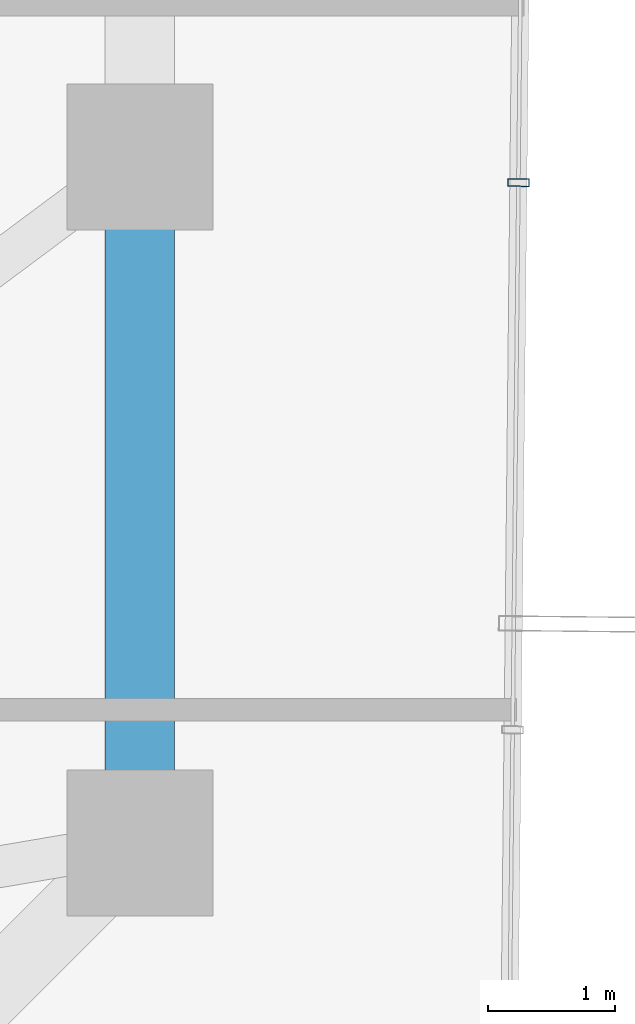
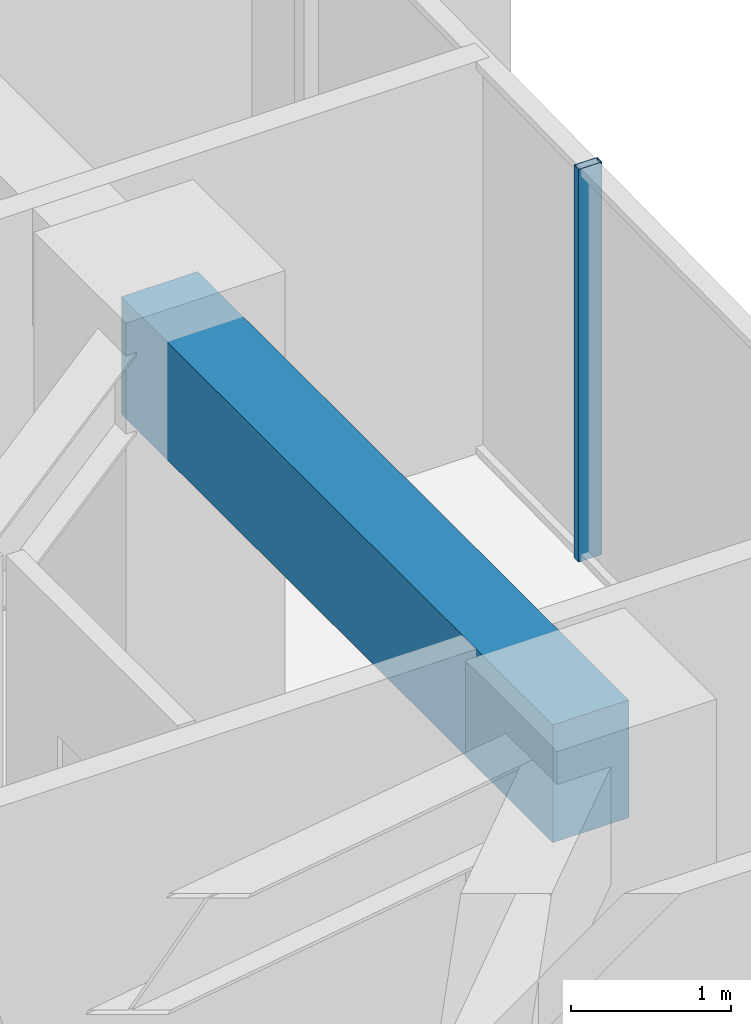
# One storey, part 14 of 30: 1 beam, 1 member, 1 element without a shape of its own.
"""IFC4 building model written with IfcOpenShell, lengths in metres."""

from ifc_helpers import new_model, si_unit, direction, frame, origin, origin_2d, place, context, subcontext, project, spatial, rectangle, hollow_rectangle, extrude, source, transform, mapped, material, layer, layer_set, material_profile, profile_set, type_object, element, aggregate, save


model = new_model("IFC4")

# Units and contexts
model_context = context("Model", 3, precision=1e-05, world=origin(), true_north=direction((0.0, 1.0)))
body_context = subcontext(model_context, "Body", "Model", "MODEL_VIEW")
ifc_project = project(units=[si_unit("LENGTHUNIT", "METRE"), si_unit("AREAUNIT", "SQUARE_METRE"), si_unit("VOLUMEUNIT", "CUBIC_METRE"), si_unit("PLANEANGLEUNIT", "RADIAN"), si_unit("MASSUNIT", "GRAM", prefix="KILO")], contexts=[model_context])

# Site, building, storey
site_placement = place(None, origin())
site = spatial("IfcSite", under=ifc_project, at=site_placement, CompositionType="ELEMENT")
building_placement = place(site_placement, origin())
building = spatial("IfcBuilding", under=site, at=building_placement, Name="Veraguas Prism Commons", CompositionType="ELEMENT")
storey_placement = place(building_placement, frame((0.0, 0.0, 126.25)))
storey = spatial("IfcBuildingStorey", under=building, at=storey_placement, Name="L35", CompositionType="ELEMENT", Elevation=126.25)

# Beam
ifc_material_1 = material(Name="Concrete C50/60", Category="concrete")
ifc_material_profile_1 = material_profile(ifc_material_1, rectangle(XDim=0.550048828125, YDim=0.89990234375, at=origin_2d()), Name="RC550X900")
ifc_profile_set_1 = profile_set([ifc_material_profile_1], Name="Concrete C50/60")
beam_type = type_object("IfcBeamType", Name="Perimeter Spandrel Lower RC 550x900", PredefinedType="SPANDREL", material=ifc_profile_set_1)
beam_placement = place(storey_placement, frame((40.199951171875, 18.60009765625, 2.550048828125), z_axis=(0.0, 1.0, 0.0), x_axis=(-1.0, 0.0, 0.0)))
element("IfcBeam", 1, at=beam_placement, inside=storey, type_object=beam_type, Name="Perimeter Spandrel Beam L35-SP01", PredefinedType="SPANDREL", context=body_context, shape_type="SweptSolid", body=[
    extrude(rectangle(XDim=0.550048828125, YDim=0.89990234375, at=origin_2d()), origin(), (0.0, 0.0, 1.0), 5.39990234375),
])

# Curtain wall, member
ifc_material_2 = material(Name="Anodised aluminium EN AW-6063 T6", Category="aluminium")
ifc_layer = layer(ifc_material_2, 0.169921875, Name="Unitised Flush Curtain Wall Zone 2", Category="aluminium")
ifc_layer_set = layer_set([ifc_layer], Name="Anodised aluminium EN AW-6063 T6")
curtain_wall_type = type_object("IfcCurtainWallType", Name="Unitised Flush Curtain Wall Zone 2", PredefinedType="NOTDEFINED", material=ifc_layer_set)
curtain_wall_placement = place(storey_placement, origin())
curtain_wall = element("IfcCurtainWall", 2, at=curtain_wall_placement, inside=storey, type_object=curtain_wall_type, Name="Tower Facade Curtain Wall L35-F6", PredefinedType="NOTDEFINED")
ifc_material_profile_2 = material_profile(ifc_material_2, hollow_rectangle(XDim=0.06005859375, YDim=0.169921875, WallThickness=0.00390625, at=origin_2d()), Name="AL60X170X4")
ifc_profile_set_2 = profile_set([ifc_material_profile_2], Name="Anodised aluminium EN AW-6063 T6")
member_type = type_object("IfcMemberType", Name="Curtain Wall Mullion Lower AL 60x170x4", PredefinedType="MULLION", material=ifc_profile_set_2)
shared_shape = source(origin(), body_context, "Body", "SweptSolid", [
    extrude(hollow_rectangle(XDim=0.06005859375, YDim=0.169921875, WallThickness=0.00390625, at=origin_2d()), origin(), (0.0, 0.0, 1.0), 3.0),
])
member_placement = place(storey_placement, frame((43.181396484375, 23.799072265625, 0.0), z_axis=(0.0, 0.0, 1.0), x_axis=(0.01047876505, 0.999945096234, 0.0)))
member = element("IfcMember", 3, at=member_placement, type_object=member_type, Name="CW-Z2 Mullion 3", PredefinedType="MULLION", context=body_context, shape_type="MappedRepresentation", body=[
    mapped(shared_shape, transform((0.0, 0.0, 0.0), scale=1.0)),
])
aggregate(curtain_wall, [member])

save(model, "model.ifc")
